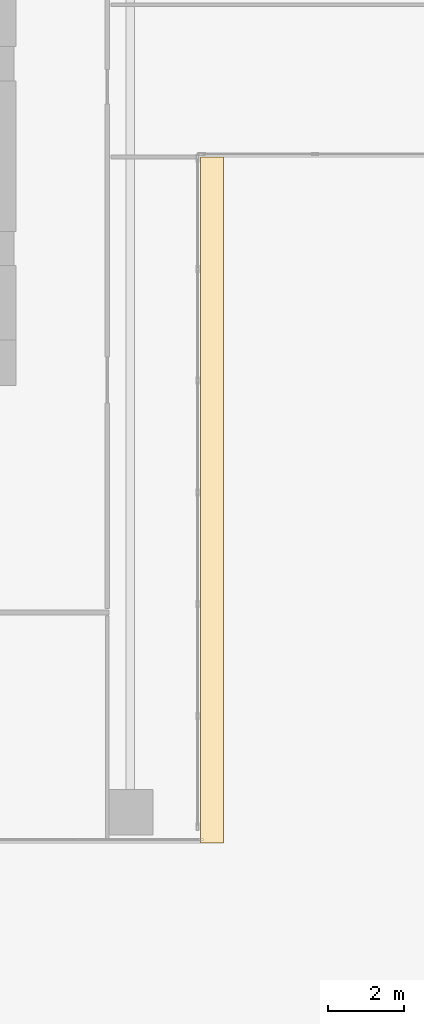
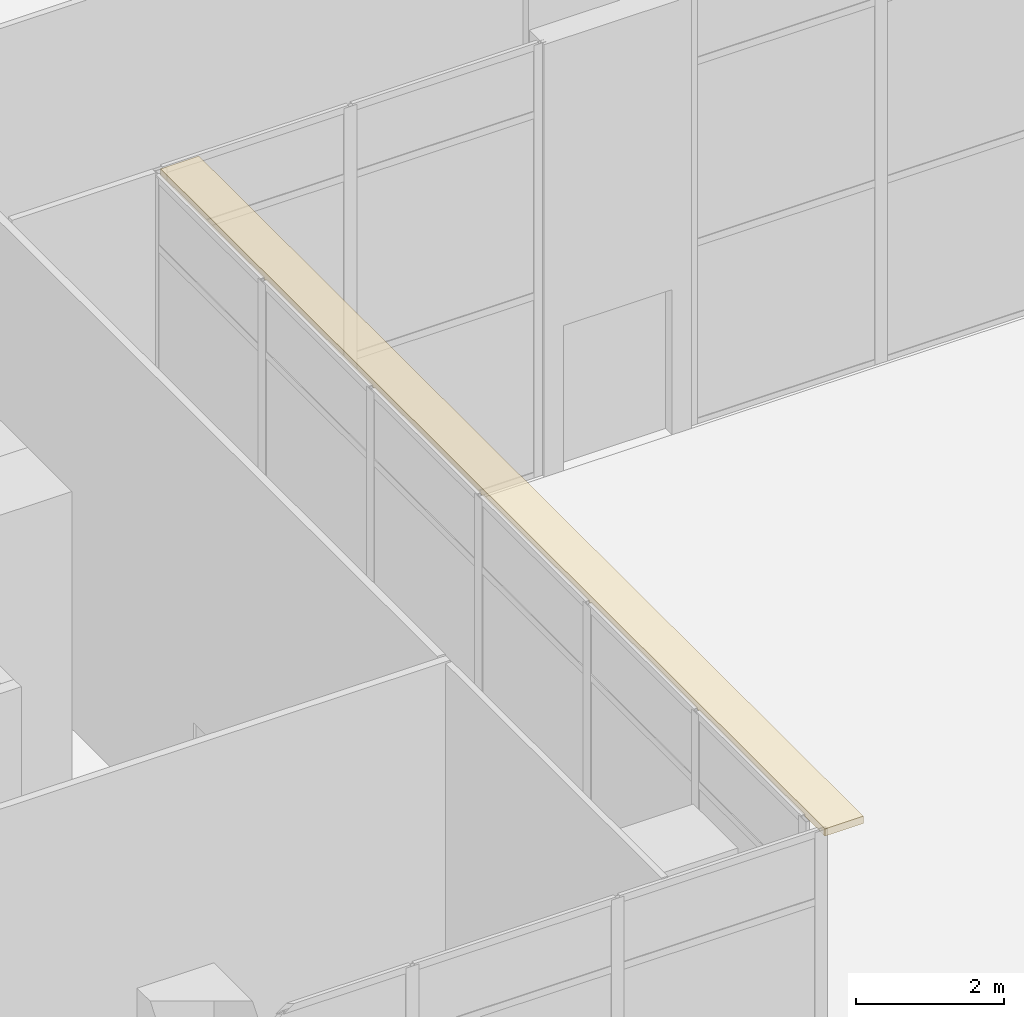
# One storey, part 45 of 52: 1 covering.
"""IFC4 building model written with IfcOpenShell, lengths in metres."""

from ifc_helpers import new_model, si_unit, direction, frame, origin, place, context, subcontext, project, spatial, polyline, outline, extrude, source, transform, mapped, material, layer, layer_set, type_object, element, save


model = new_model("IFC4")

# Units and contexts
model_context = context("Model", 3, precision=1e-05, world=origin(), true_north=direction((0.0, 1.0)))
body_context = subcontext(model_context, "Body", "Model", "MODEL_VIEW")
ifc_project = project(units=[si_unit("LENGTHUNIT", "METRE"), si_unit("AREAUNIT", "SQUARE_METRE"), si_unit("VOLUMEUNIT", "CUBIC_METRE"), si_unit("PLANEANGLEUNIT", "RADIAN"), si_unit("MASSUNIT", "GRAM", prefix="KILO")], contexts=[model_context])

# Site, building, storey
site_placement = place(None, origin())
site = spatial("IfcSite", under=ifc_project, at=site_placement, CompositionType="ELEMENT")
building_placement = place(site_placement, origin())
building = spatial("IfcBuilding", under=site, at=building_placement, Name="Khomas Fold Tower", CompositionType="ELEMENT")
storey_placement = place(building_placement, origin())
storey = spatial("IfcBuildingStorey", under=building, at=storey_placement, Name="L00", CompositionType="ELEMENT", Elevation=0.0)

# Covering
ifc_material = material(Name="Natural stone cladding", Category="masonry")
ifc_layer = layer(ifc_material, 0.1201171875)
ifc_layer_set = layer_set([ifc_layer], Name="Natural stone cladding")
covering_type = type_object("IfcCoveringType", Name="Notch soffit stone GN-SF", PredefinedType="CLADDING", material=ifc_layer_set)
shared_shape = source(origin(), body_context, "Body", "SweptSolid", [
    extrude(outline(polyline([(29.449951171875, 0.0), (29.449951171875, 18.0), (28.85009765625, 18.0), (28.85009765625, 0.0), (29.449951171875, 0.0)])), origin(), (0.0, 0.0, 1.0), 0.119873046875),
])
covering_placement = place(storey_placement, frame((0.0, 0.0, 7.080078125)))
element("IfcCovering", 1, at=covering_placement, inside=storey, type_object=covering_type, Name="Notch soffit stone", PredefinedType="CLADDING", context=body_context, shape_type="MappedRepresentation", body=[
    mapped(shared_shape, transform((0.0, 0.0, 0.0))),
])

save(model, "model.ifc")
